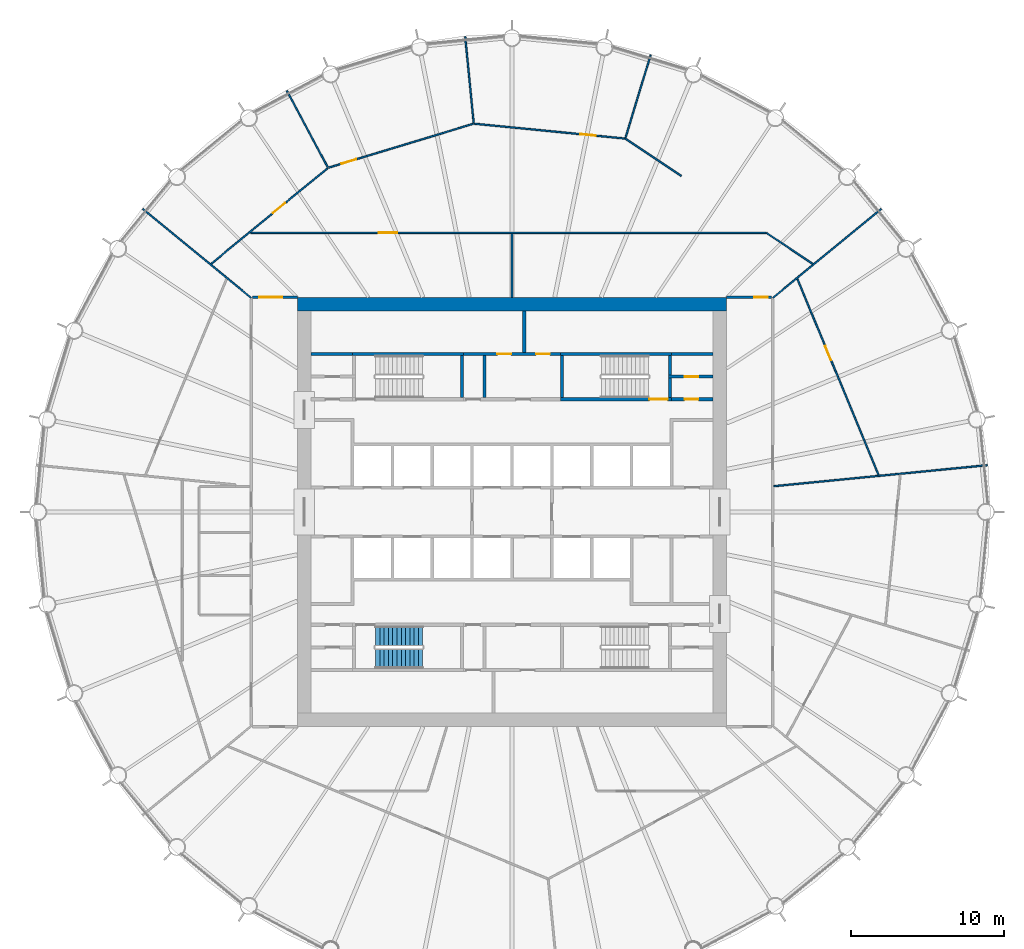
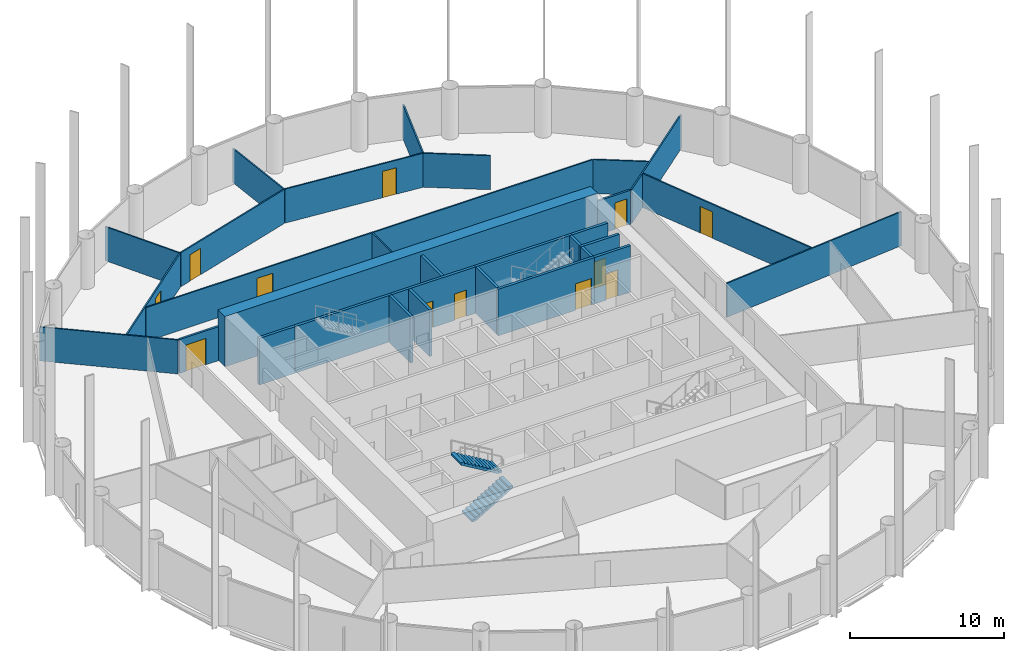
# One storey, part 7 of 9: 31 walls, 12 doors, 2 stair flights, 12 openings, 1 element without a shape of its own.
"""IFC4 building model written with IfcOpenShell, lengths in metres."""

from ifc_helpers import new_model, si_unit, direction, frame, frame_2d, origin, place, context, subcontext, project, spatial, polyline, rectangle, outline, extrude, material, layer, layer_set, type_object, element, fill, aggregate, save


model = new_model("IFC4")

# Units and contexts
model_context = context("Model", 3, precision=1e-05, world=origin(), true_north=direction((0.0, 1.0)))
body_context = subcontext(model_context, "Body", "Model", "MODEL_VIEW")
ifc_project = project(units=[si_unit("LENGTHUNIT", "METRE"), si_unit("AREAUNIT", "SQUARE_METRE"), si_unit("VOLUMEUNIT", "CUBIC_METRE"), si_unit("PLANEANGLEUNIT", "RADIAN"), si_unit("MASSUNIT", "GRAM", prefix="KILO")], contexts=[model_context])

# Site, building, storey
site_placement = place(None, origin())
site = spatial("IfcSite", under=ifc_project, at=site_placement, CompositionType="ELEMENT")
building_placement = place(site_placement, origin())
building = spatial("IfcBuilding", under=site, at=building_placement, Name="Corvane Civic Tower", CompositionType="ELEMENT")
storey_placement = place(building_placement, frame((0.0, 0.0, 188.0)))
storey = spatial("IfcBuildingStorey", under=building, at=storey_placement, Name="L44", CompositionType="ELEMENT", Elevation=188.0)

# Wall
ifc_material_1 = material(Name="Concrete C60/75", Category="concrete")
ifc_layer_1 = layer(ifc_material_1, 0.89990234375)
ifc_layer_set_1 = layer_set([ifc_layer_1], Name="Concrete C60/75")
wall_type_1 = type_object("IfcWallType", Name="CORE WALL 900 C60/75", PredefinedType="SHEAR", material=ifc_layer_set_1)
wall_1_placement = place(storey_placement, frame((-14.0, 13.550048828125, 0.0), z_axis=(0.0, 0.0, 1.0), x_axis=(1.0, 0.0, 0.0)))
element("IfcWall", 1, at=wall_1_placement, inside=storey, type_object=wall_type_1, Name="W-L44-core-N", PredefinedType="SHEAR", context=body_context, shape_type="SweptSolid", body=[
    extrude(rectangle(XDim=28.0, YDim=0.89990234375, at=frame_2d((14.0, 0.0))), origin(), (0.0, 0.0, 1.0), 4.0),
])

# Wall, opening, door
ifc_material_2 = material(Name="Concrete C30/37", Category="concrete")
ifc_layer_2 = layer(ifc_material_2, 0.199951171875)
ifc_layer_set_2 = layer_set([ifc_layer_2], Name="Concrete C30/37")
wall_type_2 = type_object("IfcWallType", Name="CR-WALL-200", PredefinedType="PARTITIONING", material=ifc_layer_set_2)
wall_2_placement = place(storey_placement, frame((10.39990234375, 7.35009765625, 0.0), z_axis=(0.0, 0.0, 1.0), x_axis=(1.0, 0.0, 0.0)))
wall_2 = element("IfcWall", 2, at=wall_2_placement, inside=storey, type_object=wall_type_2, Name="L44 core partition wall", PredefinedType="PARTITIONING", context=body_context, shape_type="SweptSolid", body=[
    extrude(rectangle(XDim=2.7001953125, YDim=0.199951171875, at=frame_2d((1.35009765625, 0.0))), origin(), (0.0, 0.0, 1.0), 3.699951171875),
])
opening_1_placement = place(wall_2_placement, frame((0.85009765625, 0.0, 0.0)))
opening_1 = element("IfcOpeningElement", 3, at=opening_1_placement, cuts=wall_2, Name="Opening L44.C19", PredefinedType="OPENING", context=body_context, shape_type="SweptSolid", body=[
    extrude(rectangle(XDim=0.89990234375, YDim=2.10009765625, at=frame_2d((0.449951171875, 1.050048828125))), frame((0.0, 0.10986328125, 0.0), z_axis=(0.0, -1.0, 0.0), x_axis=(1.0, 0.0, 0.0)), (0.0, 0.0, 1.0), 0.219970703125),
])
ifc_material_3 = material(Name="Steel fire door leaf", Category="steel")
door_type_1 = type_object("IfcDoorType", Name="CR-DOOR-900", OperationType="SINGLE_SWING_LEFT", PredefinedType="DOOR", material=ifc_material_3)
door_1_placement = place(opening_1_placement, origin())
door_1 = element("IfcDoor", 4, at=door_1_placement, inside=storey, type_object=door_type_1, Name="L44 door", OperationType="SINGLE_SWING_LEFT", OverallHeight=2.10009765625, OverallWidth=0.89990234375, PredefinedType="DOOR", context=body_context, shape_type="SweptSolid", body=[
    extrude(rectangle(XDim=0.89990234375, YDim=2.10009765625, at=frame_2d((0.449951171875, 1.050048828125))), frame((0.0, 0.02490234375, 0.0), z_axis=(0.0, -1.0, 0.0), x_axis=(1.0, 0.0, 0.0)), (0.0, 0.0, 1.0), 0.050048828125),
])
fill(opening_1, door_1)

wall_3_placement = place(storey_placement, frame((10.199951171875, 8.824951171875, 0.0), z_axis=(0.0, 0.0, 1.0), x_axis=(1.0, 0.0, 0.0)))
wall_3 = element("IfcWall", 5, at=wall_3_placement, inside=storey, type_object=wall_type_2, Name="L44 partition wall", PredefinedType="PARTITIONING", context=body_context, shape_type="SweptSolid", body=[
    extrude(rectangle(XDim=2.900146484375, YDim=0.199951171875, at=frame_2d((1.4501953125, 0.0))), origin(), (0.0, 0.0, 1.0), 3.699951171875),
])
opening_2_placement = place(wall_3_placement, frame((1.050048828125, 0.0, 0.0)))
opening_2 = element("IfcOpeningElement", 6, at=opening_2_placement, cuts=wall_3, Name="Opening L44.C20", PredefinedType="OPENING", context=body_context, shape_type="SweptSolid", body=[
    extrude(rectangle(XDim=0.89990234375, YDim=2.10009765625, at=frame_2d((0.449951171875, 1.050048828125))), frame((0.0, 0.10986328125, 0.0), z_axis=(0.0, -1.0, 0.0), x_axis=(1.0, 0.0, 0.0)), (0.0, 0.0, 1.0), 0.219970703125),
])
door_2_placement = place(opening_2_placement, origin())
door_2 = element("IfcDoor", 7, at=door_2_placement, inside=storey, type_object=door_type_1, Name="L44 door", OperationType="SINGLE_SWING_LEFT", OverallHeight=2.10009765625, OverallWidth=0.89990234375, PredefinedType="DOOR", context=body_context, shape_type="SweptSolid", body=[
    extrude(rectangle(XDim=0.89990234375, YDim=2.10009765625, at=frame_2d((0.449951171875, 1.050048828125))), frame((0.0, 0.02490234375, 0.0), z_axis=(0.0, -1.0, 0.0), x_axis=(1.0, 0.0, 0.0)), (0.0, 0.0, 1.0), 0.050048828125),
])
fill(opening_2, door_2)

# Wall, openings, doors
wall_4_placement = place(storey_placement, frame((-3.14990234375, 10.300048828125, 0.0), z_axis=(0.0, 0.0, 1.0), x_axis=(1.0, 0.0, 0.0)))
wall_4 = element("IfcWall", 8, at=wall_4_placement, inside=storey, type_object=wall_type_2, Name="L44 partition wall", PredefinedType="PARTITIONING", context=body_context, shape_type="SweptSolid", body=[
    extrude(rectangle(XDim=6.2998046875, YDim=0.199951171875, at=frame_2d((3.14990234375, 0.0))), origin(), (0.0, 0.0, 1.0), 3.699951171875),
])
opening_3_placement = place(wall_4_placement, frame((2.199951171875, 0.0, 0.0)))
opening_3 = element("IfcOpeningElement", 9, at=opening_3_placement, cuts=wall_4, Name="Opening L44.C11", PredefinedType="OPENING", context=body_context, shape_type="SweptSolid", body=[
    extrude(rectangle(XDim=0.89990234375, YDim=2.10009765625, at=frame_2d((0.449951171875, 1.050048828125))), frame((0.0, 0.10986328125, 0.0), z_axis=(0.0, -1.0, 0.0), x_axis=(1.0, 0.0, 0.0)), (0.0, 0.0, 1.0), 0.219970703125),
])
opening_4_placement = place(wall_4_placement, frame((4.72509765625, 0.0, 0.0)))
opening_4 = element("IfcOpeningElement", 10, at=opening_4_placement, cuts=wall_4, Name="Opening L44.C12", PredefinedType="OPENING", context=body_context, shape_type="SweptSolid", body=[
    extrude(rectangle(XDim=0.89990234375, YDim=2.10009765625, at=frame_2d((0.449951171875, 1.050048828125))), frame((0.0, 0.10986328125, 0.0), z_axis=(0.0, -1.0, 0.0), x_axis=(1.0, 0.0, 0.0)), (0.0, 0.0, 1.0), 0.219970703125),
])
door_3_placement = place(opening_3_placement, origin())
door_3 = element("IfcDoor", 11, at=door_3_placement, inside=storey, type_object=door_type_1, Name="L44 door", OperationType="SINGLE_SWING_LEFT", OverallHeight=2.10009765625, OverallWidth=0.89990234375, PredefinedType="DOOR", context=body_context, shape_type="SweptSolid", body=[
    extrude(rectangle(XDim=0.89990234375, YDim=2.10009765625, at=frame_2d((0.449951171875, 1.050048828125))), frame((0.0, 0.02490234375, 0.0), z_axis=(0.0, -1.0, 0.0), x_axis=(1.0, 0.0, 0.0)), (0.0, 0.0, 1.0), 0.050048828125),
])
fill(opening_3, door_3)
door_4_placement = place(opening_4_placement, origin())
door_4 = element("IfcDoor", 12, at=door_4_placement, inside=storey, type_object=door_type_1, Name="L44 door", OperationType="SINGLE_SWING_LEFT", OverallHeight=2.10009765625, OverallWidth=0.89990234375, PredefinedType="DOOR", context=body_context, shape_type="SweptSolid", body=[
    extrude(rectangle(XDim=0.89990234375, YDim=2.10009765625, at=frame_2d((0.449951171875, 1.050048828125))), frame((0.0, 0.02490234375, 0.0), z_axis=(0.0, -1.0, 0.0), x_axis=(1.0, 0.0, 0.0)), (0.0, 0.0, 1.0), 0.050048828125),
])
fill(opening_4, door_4)

# Walls
wall_5_placement = place(storey_placement, origin())
element("IfcWall", 13, at=wall_5_placement, inside=storey, type_object=wall_type_2, Name="L44 core partition wall", PredefinedType="PARTITIONING", context=body_context, shape_type="SweptSolid", body=[
    extrude(outline(polyline([(-13.10009765625, 10.199951171875), (-13.10009765625, 10.39990234375), (-10.39990234375, 10.39990234375), (-10.39990234375, 10.199951171875), (-13.10009765625, 10.199951171875)])), origin(), (0.0, 0.0, 1.0), 3.699951171875),
])
wall_6_placement = place(storey_placement, origin())
element("IfcWall", 14, at=wall_6_placement, inside=storey, type_object=wall_type_2, Name="L44 core partition wall", PredefinedType="PARTITIONING", context=body_context, shape_type="SweptSolid", body=[
    extrude(outline(polyline([(-1.699951171875, 7.449951171875), (-1.89990234375, 7.449951171875), (-1.89990234375, 10.199951171875), (-1.699951171875, 10.199951171875), (-1.699951171875, 7.449951171875)])), origin(), (0.0, 0.0, 1.0), 3.699951171875),
])
wall_7_placement = place(storey_placement, origin())
element("IfcWall", 15, at=wall_7_placement, inside=storey, type_object=wall_type_2, Name="L44 core partition wall", PredefinedType="PARTITIONING", context=body_context, shape_type="SweptSolid", body=[
    extrude(outline(polyline([(0.89990234375, 10.39990234375), (0.699951171875, 10.39990234375), (0.699951171875, 13.10009765625), (0.89990234375, 13.10009765625), (0.89990234375, 10.39990234375)])), origin(), (0.0, 0.0, 1.0), 3.699951171875),
])
wall_8_placement = place(storey_placement, origin())
element("IfcWall", 16, at=wall_8_placement, inside=storey, type_object=wall_type_2, Name="L44 core partition wall", PredefinedType="PARTITIONING", context=body_context, shape_type="SweptSolid", body=[
    extrude(outline(polyline([(10.39990234375, 10.199951171875), (10.39990234375, 10.39990234375), (13.10009765625, 10.39990234375), (13.10009765625, 10.199951171875), (10.39990234375, 10.199951171875)])), origin(), (0.0, 0.0, 1.0), 3.699951171875),
])
ifc_material_4 = material(Name="Plasterboard")
ifc_layer_3 = layer(ifc_material_4, 0.10009765625)
ifc_layer_set_3 = layer_set([ifc_layer_3], Name="Plasterboard")
wall_type_3 = type_object("IfcWallType", Name="Partition 100 plasterboard on studs", PredefinedType="PARTITIONING", material=ifc_layer_set_3)
wall_9_placement = place(storey_placement, frame((17.079833984375, 1.68212890625, 0.0), z_axis=(0.0, 0.0, 1.0), x_axis=(0.995184356936, 0.098020894254, 0.0)))
element("IfcWall", 17, at=wall_9_placement, inside=storey, type_object=wall_type_3, Name="Partition L44.025", PredefinedType="PARTITIONING", context=body_context, shape_type="SweptSolid", body=[
    extrude(rectangle(XDim=13.98779296875, YDim=0.10009765625, at=frame_2d((6.993896484375, 0.0))), origin(), (0.0, 0.0, 1.0), 2.699951171875),
])

# Wall, opening, door
wall_10_placement = place(storey_placement, frame((18.610107421875, 15.189697265625, 0.0), z_axis=(0.0, 0.0, 1.0), x_axis=(0.382690797322, -0.923876481812, 0.0)))
wall_10 = element("IfcWall", 18, at=wall_10_placement, inside=storey, type_object=wall_type_3, Name="Partition L44.028", PredefinedType="PARTITIONING", context=body_context, shape_type="SweptSolid", body=[
    extrude(rectangle(XDim=13.8232421875, YDim=0.10009765625, at=frame_2d((6.91162109375, 0.0))), origin(), (0.0, 0.0, 1.0), 2.699951171875),
])
opening_5_placement = place(wall_10_placement, frame((4.73095703125, 0.0, 0.0)))
opening_5 = element("IfcOpeningElement", 19, at=opening_5_placement, cuts=wall_10, Name="Opening L44.012", PredefinedType="OPENING", context=body_context, shape_type="SweptSolid", body=[
    extrude(rectangle(XDim=1.0, YDim=2.10009765625, at=frame_2d((0.5, 1.050048828125))), frame((0.0, 0.06005859375, 0.0), z_axis=(0.0, -1.0, 0.0), x_axis=(1.0, 0.0, 0.0)), (0.0, 0.0, 1.0), 0.1201171875),
])
ifc_material_5 = material(Name="Timber", Category="wood")
door_type_2 = type_object("IfcDoorType", Name="Single door 1000", OperationType="NOTDEFINED", PredefinedType="DOOR", material=ifc_material_5)
door_5_placement = place(opening_5_placement, origin())
door_5 = element("IfcDoor", 20, at=door_5_placement, inside=storey, type_object=door_type_2, Name="Door L44.012", OperationType="SINGLE_SWING_LEFT", OverallHeight=2.10009765625, OverallWidth=1.0, PredefinedType="DOOR", context=body_context, shape_type="SweptSolid", body=[
    extrude(rectangle(XDim=1.0, YDim=2.10009765625, at=frame_2d((0.5, 1.050048828125))), frame((0.0, 0.02490234375, 0.0), z_axis=(0.0, -1.0, 0.0), x_axis=(1.0, 0.0, 0.0)), (0.0, 0.0, 1.0), 0.050048828125),
])
fill(opening_5, door_5)

# Walls
for number, where, z_axis, x_axis, name in (
    (21, (-24.079345703125, 19.761474609375, 0.0), (0.0, 0.0, 1.0), (0.773006154143, -0.634398522742, 0.0), "Partition L44.029"),
    (22, (17.018310546875, 13.966552734375, 0.0), (0.0, 0.0, 1.0), (0.773006154143, 0.634398522742, 0.0), "Partition L44.030"),
):
    element("IfcWall", number, at=place(storey_placement, frame(where, z_axis=z_axis, x_axis=x_axis)), inside=storey, type_object=wall_type_3, Name=name, PredefinedType="PARTITIONING", context=body_context, shape_type="SweptSolid", body=[
        extrude(rectangle(XDim=9.134521484375, YDim=0.10009765625, at=frame_2d((4.5673828125, 0.0))), origin(), (0.0, 0.0, 1.0), 2.699951171875),
    ])
wall_11_placement = place(storey_placement, frame((0.0, 14.0, 0.0), z_axis=(0.0, 0.0, 1.0), x_axis=(0.0, 1.0, 0.0)))
element("IfcWall", 23, at=wall_11_placement, inside=storey, type_object=wall_type_3, Name="Partition L44.032", PredefinedType="PARTITIONING", context=body_context, shape_type="SweptSolid", body=[
    extrude(rectangle(XDim=4.14990234375, YDim=0.10009765625, at=frame_2d((2.074951171875, 0.0))), origin(), (0.0, 0.0, 1.0), 2.699951171875),
])

# Wall, opening, door
wall_12_placement = place(storey_placement, frame((-19.620849609375, 16.1796875, 0.0), z_axis=(0.0, 0.0, 1.0), x_axis=(0.773002133185, 0.634403422194, 0.0)))
wall_12 = element("IfcWall", 24, at=wall_12_placement, inside=storey, type_object=wall_type_3, Name="Partition L44.034", PredefinedType="PARTITIONING", context=body_context, shape_type="SweptSolid", body=[
    extrude(rectangle(XDim=9.82568359375, YDim=0.10009765625, at=frame_2d((4.912841796875, 0.0))), origin(), (0.0, 0.0, 1.0), 2.699951171875),
])
opening_6_placement = place(wall_12_placement, frame((5.23779296875, 0.0, 0.0)))
opening_6 = element("IfcOpeningElement", 25, at=opening_6_placement, cuts=wall_12, Name="Opening L44.001", PredefinedType="OPENING", context=body_context, shape_type="SweptSolid", body=[
    extrude(rectangle(XDim=1.0, YDim=2.10009765625, at=frame_2d((0.5, 1.050048828125))), frame((0.0, 0.06005859375, 0.0), z_axis=(0.0, -1.0, 0.0), x_axis=(1.0, 0.0, 0.0)), (0.0, 0.0, 1.0), 0.1201171875),
])
door_6_placement = place(opening_6_placement, origin())
door_6 = element("IfcDoor", 26, at=door_6_placement, inside=storey, type_object=door_type_2, Name="Door L44.001", OperationType="SINGLE_SWING_RIGHT", OverallHeight=2.10009765625, OverallWidth=1.0, PredefinedType="DOOR", context=body_context, shape_type="SweptSolid", body=[
    extrude(rectangle(XDim=1.0, YDim=2.10009765625, at=frame_2d((0.5, 1.050048828125))), frame((0.0, 0.02490234375, 0.0), z_axis=(0.0, -1.0, 0.0), x_axis=(1.0, 0.0, 0.0)), (0.0, 0.0, 1.0), 0.050048828125),
])
fill(opening_6, door_6)

# Wall
wall_13_placement = place(storey_placement, frame((16.59912109375, 18.191650390625, 0.0), z_axis=(0.0, 0.0, 1.0), x_axis=(0.831448583588, -0.555601703425, 0.0)))
element("IfcWall", 27, at=wall_13_placement, inside=storey, type_object=wall_type_3, Name="Partition L44.035", PredefinedType="PARTITIONING", context=body_context, shape_type="SweptSolid", body=[
    extrude(rectangle(XDim=3.62353515625, YDim=0.10009765625, at=frame_2d((1.811767578125, 0.0))), origin(), (0.0, 0.0, 1.0), 2.699951171875),
])

# Wall, opening, door
wall_14_placement = place(storey_placement, frame((-17.019287109375, 18.199951171875, 0.0), z_axis=(0.0, 0.0, 1.0), x_axis=(1.0, 0.0, 0.0)))
wall_14 = element("IfcWall", 28, at=wall_14_placement, inside=storey, type_object=wall_type_3, Name="Partition L44.036", PredefinedType="PARTITIONING", context=body_context, shape_type="SweptSolid", body=[
    extrude(rectangle(XDim=33.590576171875, YDim=0.10009765625, at=frame_2d((16.79541015625, 0.0))), origin(), (0.0, 0.0, 1.0), 2.699951171875),
])
opening_7_placement = place(wall_14_placement, frame((8.331298828125, 0.0, 0.0)))
opening_7 = element("IfcOpeningElement", 29, at=opening_7_placement, cuts=wall_14, Name="Opening L44.004", PredefinedType="OPENING", context=body_context, shape_type="SweptSolid", body=[
    extrude(rectangle(XDim=1.199951171875, YDim=2.10009765625, at=frame_2d((0.60009765625, 1.050048828125))), frame((0.0, 0.06005859375, 0.0), z_axis=(0.0, -1.0, 0.0), x_axis=(1.0, 0.0, 0.0)), (0.0, 0.0, 1.0), 0.1201171875),
])
ifc_material_6 = material(Name="Timber", Category="wood")
door_type_3 = type_object("IfcDoorType", Name="Double door 1200", OperationType="NOTDEFINED", PredefinedType="DOOR", material=ifc_material_6)
door_7_placement = place(opening_7_placement, origin())
door_7 = element("IfcDoor", 30, at=door_7_placement, inside=storey, type_object=door_type_3, Name="Door L44.004", OperationType="DOUBLE_DOOR_SINGLE_SWING", OverallHeight=2.10009765625, OverallWidth=1.199951171875, PredefinedType="DOOR", context=body_context, shape_type="SweptSolid", body=[
    extrude(rectangle(XDim=1.199951171875, YDim=2.10009765625, at=frame_2d((0.60009765625, 1.050048828125))), frame((0.0, 0.02490234375, 0.0), z_axis=(0.0, -1.0, 0.0), x_axis=(1.0, 0.0, 0.0)), (0.0, 0.0, 1.0), 0.050048828125),
])
fill(opening_7, door_7)

wall_15_placement = place(storey_placement, frame((-11.95458984375, 22.450927734375, 0.0), z_axis=(0.0, 0.0, 1.0), x_axis=(0.956934470231, 0.290304012516, 0.0)))
wall_15 = element("IfcWall", 31, at=wall_15_placement, inside=storey, type_object=wall_type_3, Name="Partition L44.037", PredefinedType="PARTITIONING", context=body_context, shape_type="SweptSolid", body=[
    extrude(rectangle(XDim=9.845458984375, YDim=0.10009765625, at=frame_2d((4.9228515625, 0.0))), origin(), (0.0, 0.0, 1.0), 2.699951171875),
])
opening_8_placement = place(wall_15_placement, frame((0.875, 0.0, 0.0)))
opening_8 = element("IfcOpeningElement", 32, at=opening_8_placement, cuts=wall_15, Name="Opening L44.002", PredefinedType="OPENING", context=body_context, shape_type="SweptSolid", body=[
    extrude(rectangle(XDim=1.0, YDim=2.10009765625, at=frame_2d((0.5, 1.050048828125))), frame((0.0, 0.06005859375, 0.0), z_axis=(0.0, -1.0, 0.0), x_axis=(1.0, 0.0, 0.0)), (0.0, 0.0, 1.0), 0.1201171875),
])
door_8_placement = place(opening_8_placement, origin())
door_8 = element("IfcDoor", 33, at=door_8_placement, inside=storey, type_object=door_type_2, Name="Door L44.002", OperationType="SINGLE_SWING_LEFT", OverallHeight=2.10009765625, OverallWidth=1.0, PredefinedType="DOOR", context=body_context, shape_type="SweptSolid", body=[
    extrude(rectangle(XDim=1.0, YDim=2.10009765625, at=frame_2d((0.5, 1.050048828125))), frame((0.0, 0.02490234375, 0.0), z_axis=(0.0, -1.0, 0.0), x_axis=(1.0, 0.0, 0.0)), (0.0, 0.0, 1.0), 0.050048828125),
])
fill(opening_8, door_8)

# Wall
wall_16_placement = place(storey_placement, frame((-14.68408203125, 27.47216796875, 0.0), z_axis=(0.0, 0.0, 1.0), x_axis=(0.471384205125, -0.881927962568, 0.0)))
element("IfcWall", 34, at=wall_16_placement, inside=storey, type_object=wall_type_3, Name="Partition L44.038", PredefinedType="PARTITIONING", context=body_context, shape_type="SweptSolid", body=[
    extrude(rectangle(XDim=5.666015625, YDim=0.10009765625, at=frame_2d((2.8330078125, 0.0))), origin(), (0.0, 0.0, 1.0), 2.699951171875),
])

# Wall, opening, door
wall_17_placement = place(storey_placement, frame((-2.453125, 25.31689453125, 0.0), z_axis=(0.0, 0.0, 1.0), x_axis=(0.995184135225, -0.098023145206, 0.0)))
wall_17 = element("IfcWall", 35, at=wall_17_placement, inside=storey, type_object=wall_type_3, Name="Partition L44.039", PredefinedType="PARTITIONING", context=body_context, shape_type="SweptSolid", body=[
    extrude(rectangle(XDim=9.845458984375, YDim=0.10009765625, at=frame_2d((4.9228515625, 0.0))), origin(), (0.0, 0.0, 1.0), 2.699951171875),
])
opening_9_placement = place(wall_17_placement, frame((6.946044921875, 0.0, 0.0)))
opening_9 = element("IfcOpeningElement", 36, at=opening_9_placement, cuts=wall_17, Name="Opening L44.003", PredefinedType="OPENING", context=body_context, shape_type="SweptSolid", body=[
    extrude(rectangle(XDim=1.0, YDim=2.10009765625, at=frame_2d((0.5, 1.050048828125))), frame((0.0, 0.06005859375, 0.0), z_axis=(0.0, -1.0, 0.0), x_axis=(1.0, 0.0, 0.0)), (0.0, 0.0, 1.0), 0.1201171875),
])
door_9_placement = place(opening_9_placement, origin())
door_9 = element("IfcDoor", 37, at=door_9_placement, inside=storey, type_object=door_type_2, Name="Door L44.003", OperationType="SINGLE_SWING_LEFT", OverallHeight=2.10009765625, OverallWidth=1.0, PredefinedType="DOOR", context=body_context, shape_type="SweptSolid", body=[
    extrude(rectangle(XDim=1.0, YDim=2.10009765625, at=frame_2d((0.5, 1.050048828125))), frame((0.0, 0.02490234375, 0.0), z_axis=(0.0, -1.0, 0.0), x_axis=(1.0, 0.0, 0.0)), (0.0, 0.0, 1.0), 0.050048828125),
])
fill(opening_9, door_9)

# Walls
for number, where, z_axis, x_axis, name in (
    (38, (7.397705078125, 24.386962890625, 0.0), (0.0, 0.0, 1.0), (0.290295601416, 0.956937021856, 0.0), "Partition L44.040"),
    (39, (-3.05322265625, 31.000244140625, 0.0), (0.0, 0.0, 1.0), (0.098031694815, -0.995183293073, 0.0), "Partition L44.041"),
):
    element("IfcWall", number, at=place(storey_placement, frame(where, z_axis=z_axis, x_axis=x_axis)), inside=storey, type_object=wall_type_3, Name=name, PredefinedType="PARTITIONING", context=body_context, shape_type="SweptSolid", body=[
        extrude(rectangle(XDim=5.665771484375, YDim=0.10009765625, at=frame_2d((2.8330078125, 0.0))), origin(), (0.0, 0.0, 1.0), 2.699951171875),
    ])
wall_18_placement = place(storey_placement, frame((7.3857421875, 24.34765625, 0.0), z_axis=(0.0, 0.0, 1.0), x_axis=(0.831467221436, -0.555573811188, 0.0)))
element("IfcWall", 40, at=wall_18_placement, inside=storey, type_object=wall_type_3, Name="Partition L44.042", PredefinedType="PARTITIONING", context=body_context, shape_type="SweptSolid", body=[
    extrude(rectangle(XDim=4.3837890625, YDim=0.10009765625, at=frame_2d((2.19189453125, 0.0))), origin(), (0.0, 0.0, 1.0), 2.699951171875),
])

# Wall, opening, door
ifc_material_7 = material(Name="Concrete C50/60", Category="concrete")
ifc_layer_4 = layer(ifc_material_7, 0.199951171875)
ifc_layer_set_4 = layer_set([ifc_layer_4], Name="Concrete C50/60")
wall_type_4 = type_object("IfcWallType", Name="ST-WALL-200", PredefinedType="SHEAR", material=ifc_layer_set_4)
wall_19_placement = place(storey_placement, frame((3.14990234375, 7.35009765625, 0.0), z_axis=(0.0, 0.0, 1.0), x_axis=(1.0, 0.0, 0.0)))
wall_19 = element("IfcWall", 41, at=wall_19_placement, inside=storey, type_object=wall_type_4, Name="L44 stair enclosure wall", PredefinedType="SHEAR", context=body_context, shape_type="SweptSolid", body=[
    extrude(rectangle(XDim=7.25, YDim=0.199951171875, at=frame_2d((3.625, 0.0))), origin(), (0.0, 0.0, 1.0), 3.699951171875),
])
opening_10_placement = place(wall_19_placement, frame((5.800048828125, 0.0, 0.0)))
opening_10 = element("IfcOpeningElement", 42, at=opening_10_placement, cuts=wall_19, Name="Opening L44.C23", PredefinedType="OPENING", context=body_context, shape_type="SweptSolid", body=[
    extrude(rectangle(XDim=1.199951171875, YDim=2.10009765625, at=frame_2d((0.60009765625, 1.050048828125))), frame((0.0, 0.10986328125, 0.0), z_axis=(0.0, -1.0, 0.0), x_axis=(1.0, 0.0, 0.0)), (0.0, 0.0, 1.0), 0.219970703125),
])
ifc_material_8 = material(Name="Steel fire door leaf", Category="steel")
door_type_4 = type_object("IfcDoorType", Name="ST-DOOR-1200", OperationType="SINGLE_SWING_RIGHT", PredefinedType="DOOR", material=ifc_material_8)
door_10_placement = place(opening_10_placement, origin())
door_10 = element("IfcDoor", 43, at=door_10_placement, inside=storey, type_object=door_type_4, Name="L44 stair door", OperationType="SINGLE_SWING_RIGHT", OverallHeight=2.10009765625, OverallWidth=1.199951171875, PredefinedType="DOOR", context=body_context, shape_type="SweptSolid", body=[
    extrude(rectangle(XDim=1.199951171875, YDim=2.10009765625, at=frame_2d((0.60009765625, 1.050048828125))), frame((0.0, 0.02490234375, 0.0), z_axis=(0.0, -1.0, 0.0), x_axis=(1.0, 0.0, 0.0)), (0.0, 0.0, 1.0), 0.050048828125),
])
fill(opening_10, door_10)

# Walls
wall_20_placement = place(storey_placement, origin())
element("IfcWall", 44, at=wall_20_placement, inside=storey, type_object=wall_type_4, Name="L44 stair enclosure wall", PredefinedType="SHEAR", context=body_context, shape_type="SweptSolid", body=[
    extrude(outline(polyline([(-3.14990234375, 10.199951171875), (-10.39990234375, 10.199951171875), (-10.39990234375, 10.39990234375), (-3.14990234375, 10.39990234375), (-3.14990234375, 10.199951171875)])), origin(), (0.0, 0.0, 1.0), 3.699951171875),
])
wall_21_placement = place(storey_placement, origin())
element("IfcWall", 45, at=wall_21_placement, inside=storey, type_object=wall_type_4, Name="L44 stair enclosure wall", PredefinedType="SHEAR", context=body_context, shape_type="SweptSolid", body=[
    extrude(outline(polyline([(10.39990234375, 10.199951171875), (3.14990234375, 10.199951171875), (3.14990234375, 10.39990234375), (10.39990234375, 10.39990234375), (10.39990234375, 10.199951171875)])), origin(), (0.0, 0.0, 1.0), 3.699951171875),
])
wall_22_placement = place(storey_placement, origin())
element("IfcWall", 46, at=wall_22_placement, inside=storey, type_object=wall_type_4, Name="L44 stair enclosure wall", PredefinedType="SHEAR", context=body_context, shape_type="SweptSolid", body=[
    extrude(outline(polyline([(-3.14990234375, 7.449951171875), (-3.35009765625, 7.449951171875), (-3.35009765625, 10.199951171875), (-3.14990234375, 10.199951171875), (-3.14990234375, 7.449951171875)])), origin(), (0.0, 0.0, 1.0), 3.699951171875),
])
wall_23_placement = place(storey_placement, origin())
element("IfcWall", 47, at=wall_23_placement, inside=storey, type_object=wall_type_4, Name="L44 stair enclosure wall", PredefinedType="SHEAR", context=body_context, shape_type="SweptSolid", body=[
    extrude(outline(polyline([(3.35009765625, 7.449951171875), (3.14990234375, 7.449951171875), (3.14990234375, 10.199951171875), (3.35009765625, 10.199951171875), (3.35009765625, 7.449951171875)])), origin(), (0.0, 0.0, 1.0), 3.699951171875),
])
wall_24_placement = place(storey_placement, origin())
element("IfcWall", 48, at=wall_24_placement, inside=storey, type_object=wall_type_4, Name="L44 stair enclosure wall", PredefinedType="SHEAR", context=body_context, shape_type="SweptSolid", body=[
    extrude(outline(polyline([(10.39990234375, 8.72509765625), (10.39990234375, 7.449951171875), (10.199951171875, 7.449951171875), (10.199951171875, 8.72509765625), (10.39990234375, 8.72509765625)])), origin(), (0.0, 0.0, 1.0), 3.699951171875),
])
wall_25_placement = place(storey_placement, origin())
element("IfcWall", 49, at=wall_25_placement, inside=storey, type_object=wall_type_4, Name="L44 stair enclosure wall", PredefinedType="SHEAR", context=body_context, shape_type="SweptSolid", body=[
    extrude(outline(polyline([(10.39990234375, 8.925048828125), (10.199951171875, 8.925048828125), (10.199951171875, 10.199951171875), (10.39990234375, 10.199951171875), (10.39990234375, 8.925048828125)])), origin(), (0.0, 0.0, 1.0), 3.699951171875),
])

# Wall, opening, door
ifc_material_9 = material(Name="Plasterboard")
ifc_layer_5 = layer(ifc_material_9, 0.14990234375)
ifc_layer_set_5 = layer_set([ifc_layer_5], Name="Plasterboard")
wall_type_5 = type_object("IfcWallType", Name="Tenancy wall 150 EI 60", PredefinedType="PARTITIONING", material=ifc_layer_set_5)
wall_26_placement = place(storey_placement, frame((-16.925048828125, 14.0, 0.0), z_axis=(0.0, 0.0, 1.0), x_axis=(1.0, 0.0, 0.0)))
wall_26 = element("IfcWall", 50, at=wall_26_placement, inside=storey, type_object=wall_type_5, Name="Partition L44.031", PredefinedType="PARTITIONING", context=body_context, shape_type="SweptSolid", body=[
    extrude(rectangle(XDim=2.93505859375, YDim=0.14990234375, at=frame_2d((1.467529296875, 0.0))), origin(), (0.0, 0.0, 1.0), 2.699951171875),
])
opening_11_placement = place(wall_26_placement, frame((0.4599609375, 0.0, 0.0)))
opening_11 = element("IfcOpeningElement", 51, at=opening_11_placement, cuts=wall_26, Name="Opening L44.005", PredefinedType="OPENING", context=body_context, shape_type="SweptSolid", body=[
    extrude(rectangle(XDim=1.5, YDim=2.10009765625, at=frame_2d((0.75, 1.050048828125))), frame((0.0, 0.0849609375, 0.0), z_axis=(0.0, -1.0, 0.0), x_axis=(1.0, 0.0, 0.0)), (0.0, 0.0, 1.0), 0.169921875),
])
ifc_material_10 = material(Name="Steel and timber", Category="steel")
door_type_5 = type_object("IfcDoorType", Name="Fire door FD60 double 1500", OperationType="NOTDEFINED", PredefinedType="DOOR", material=ifc_material_10)
door_11_placement = place(opening_11_placement, origin())
door_11 = element("IfcDoor", 52, at=door_11_placement, inside=storey, type_object=door_type_5, Name="Door L44.005", OperationType="DOUBLE_DOOR_SINGLE_SWING", OverallHeight=2.10009765625, OverallWidth=1.5, PredefinedType="DOOR", context=body_context, shape_type="SweptSolid", body=[
    extrude(rectangle(XDim=1.5, YDim=2.10009765625, at=frame_2d((0.75, 1.050048828125))), frame((0.0, 0.02490234375, 0.0), z_axis=(0.0, -1.0, 0.0), x_axis=(1.0, 0.0, 0.0)), (0.0, 0.0, 1.0), 0.050048828125),
])
fill(opening_11, door_11)

wall_27_placement = place(storey_placement, frame((13.989990234375, 14.0, 0.0), z_axis=(0.0, 0.0, 1.0), x_axis=(1.0, 0.0, 0.0)))
wall_27 = element("IfcWall", 53, at=wall_27_placement, inside=storey, type_object=wall_type_5, Name="Partition L44.033", PredefinedType="PARTITIONING", context=body_context, shape_type="SweptSolid", body=[
    extrude(rectangle(XDim=2.93505859375, YDim=0.14990234375, at=frame_2d((1.467529296875, 0.0))), origin(), (0.0, 0.0, 1.0), 2.699951171875),
])
opening_12_placement = place(wall_27_placement, frame((1.794921875, 0.0, 0.0)))
opening_12 = element("IfcOpeningElement", 54, at=opening_12_placement, cuts=wall_27, Name="Opening L44.006", PredefinedType="OPENING", context=body_context, shape_type="SweptSolid", body=[
    extrude(rectangle(XDim=0.89990234375, YDim=2.10009765625, at=frame_2d((0.449951171875, 1.050048828125))), frame((0.0, 0.0849609375, 0.0), z_axis=(0.0, -1.0, 0.0), x_axis=(1.0, 0.0, 0.0)), (0.0, 0.0, 1.0), 0.169921875),
])
ifc_material_11 = material(Name="Steel and timber", Category="steel")
door_type_6 = type_object("IfcDoorType", Name="Fire door FD30S 900", OperationType="NOTDEFINED", PredefinedType="DOOR", material=ifc_material_11)
door_12_placement = place(opening_12_placement, origin())
door_12 = element("IfcDoor", 55, at=door_12_placement, inside=storey, type_object=door_type_6, Name="Door L44.006", OperationType="SINGLE_SWING_LEFT", OverallHeight=2.10009765625, OverallWidth=0.89990234375, PredefinedType="DOOR", context=body_context, shape_type="SweptSolid", body=[
    extrude(rectangle(XDim=0.89990234375, YDim=2.10009765625, at=frame_2d((0.449951171875, 1.050048828125))), frame((0.0, 0.02490234375, 0.0), z_axis=(0.0, -1.0, 0.0), x_axis=(1.0, 0.0, 0.0)), (0.0, 0.0, 1.0), 0.050048828125),
])
fill(opening_12, door_12)

# Stair, stair flights
ifc_material_12 = material(Name="Concrete C40/50", Category="concrete")
stair_type = type_object("IfcStairType", Name="ST-STAIR-HALFTURN", PredefinedType="HALF_TURN_STAIR", material=ifc_material_12)
stair_placement = place(storey_placement, origin())
stair = element("IfcStair", 56, at=stair_placement, inside=storey, type_object=stair_type, Name="L44 Exit stair ST3", PredefinedType="HALF_TURN_STAIR")
ifc_material_13 = material(Name="Concrete C40/50", Category="concrete")
stair_flight_type = type_object("IfcStairFlightType", Name="ST-FLIGHT-RC", PredefinedType="STRAIGHT", material=ifc_material_13)
stair_flight_1_placement = place(storey_placement, frame((-8.89990234375, -9.550048828125, 0.0), z_axis=(0.0, 0.0, 1.0), x_axis=(1.0, 0.0, 0.0)))
stair_flight_1 = element("IfcStairFlight", 57, at=stair_flight_1_placement, type_object=stair_flight_type, Name="ST3 flight 1", NumberOfRisers=12, NumberOfTreads=11, PredefinedType="STRAIGHT", RiserHeight=0.166666667, TreadLength=0.28, context=body_context, shape_type="SweptSolid", body=[
    extrude(outline(polyline([(0.0, 0.0), (0.0, 0.166748046875), (0.280029296875, 0.166748046875), (0.280029296875, 0.333251953125), (0.56005859375, 0.333251953125), (0.56005859375, 0.5), (0.840087890625, 0.5), (0.840087890625, 0.666748046875), (1.1201171875, 0.666748046875), (1.1201171875, 0.833251953125), (1.39990234375, 0.833251953125), (1.39990234375, 1.0), (1.679931640625, 1.0), (1.679931640625, 1.166748046875), (1.9599609375, 1.166748046875), (1.9599609375, 1.333251953125), (2.239990234375, 1.333251953125), (2.239990234375, 1.5), (2.52001953125, 1.5), (2.52001953125, 1.666748046875), (2.800048828125, 1.666748046875), (2.800048828125, 1.833251953125), (3.080078125, 1.833251953125), (3.080078125, 2.0), (3.080078125, 1.658935546875), (0.29296875, 0.0), (0.0, 0.0)])), frame((0.0, 0.64990234375, 0.0), z_axis=(0.0, -1.0, 0.0), x_axis=(1.0, 0.0, 0.0)), (0.0, 0.0, 1.0), 1.300048828125),
])
stair_flight_2_placement = place(storey_placement, frame((-5.820068359375, -8.10009765625, 2.0), z_axis=(0.0, 0.0, 1.0), x_axis=(-1.0, 0.0, 0.0)))
stair_flight_2 = element("IfcStairFlight", 58, at=stair_flight_2_placement, type_object=stair_flight_type, Name="ST3 flight 2", NumberOfRisers=12, NumberOfTreads=11, PredefinedType="STRAIGHT", RiserHeight=0.166666667, TreadLength=0.28, context=body_context, shape_type="SweptSolid", body=[
    extrude(outline(polyline([(0.0, 0.0), (0.0, 0.166748046875), (0.280029296875, 0.166748046875), (0.280029296875, 0.333251953125), (0.56005859375, 0.333251953125), (0.56005859375, 0.5), (0.840087890625, 0.5), (0.840087890625, 0.666748046875), (1.1201171875, 0.666748046875), (1.1201171875, 0.833251953125), (1.39990234375, 0.833251953125), (1.39990234375, 1.0), (1.679931640625, 1.0), (1.679931640625, 1.166748046875), (1.9599609375, 1.166748046875), (1.9599609375, 1.333251953125), (2.239990234375, 1.333251953125), (2.239990234375, 1.5), (2.52001953125, 1.5), (2.52001953125, 1.666748046875), (2.800048828125, 1.666748046875), (2.800048828125, 1.833251953125), (3.080078125, 1.833251953125), (3.080078125, 2.0), (3.080078125, 1.658935546875), (0.29296875, 0.0), (0.0, 0.0)])), frame((0.0, 0.64990234375, 0.0), z_axis=(0.0, -1.0, 0.0), x_axis=(1.0, 0.0, 0.0)), (0.0, 0.0, 1.0), 1.300048828125),
])
aggregate(stair, [stair_flight_1, stair_flight_2])

save(model, "model.ifc")
